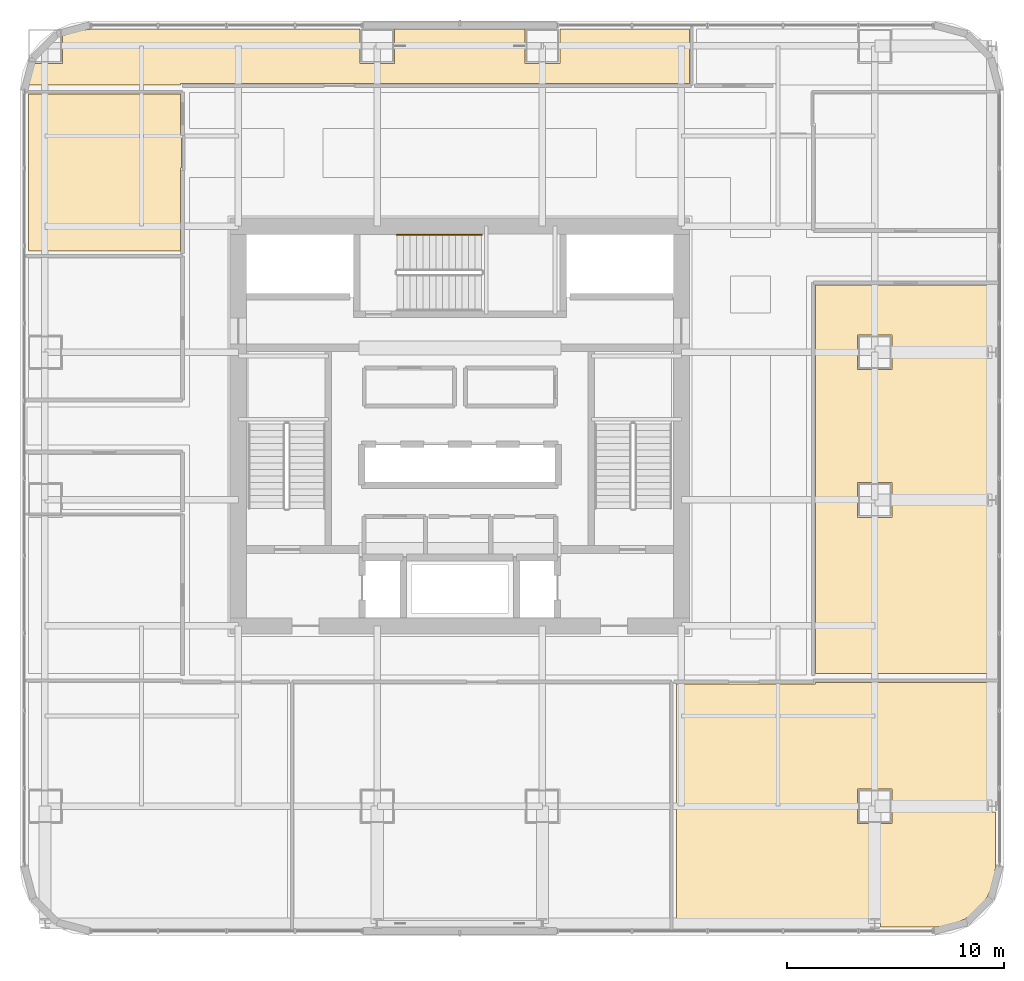
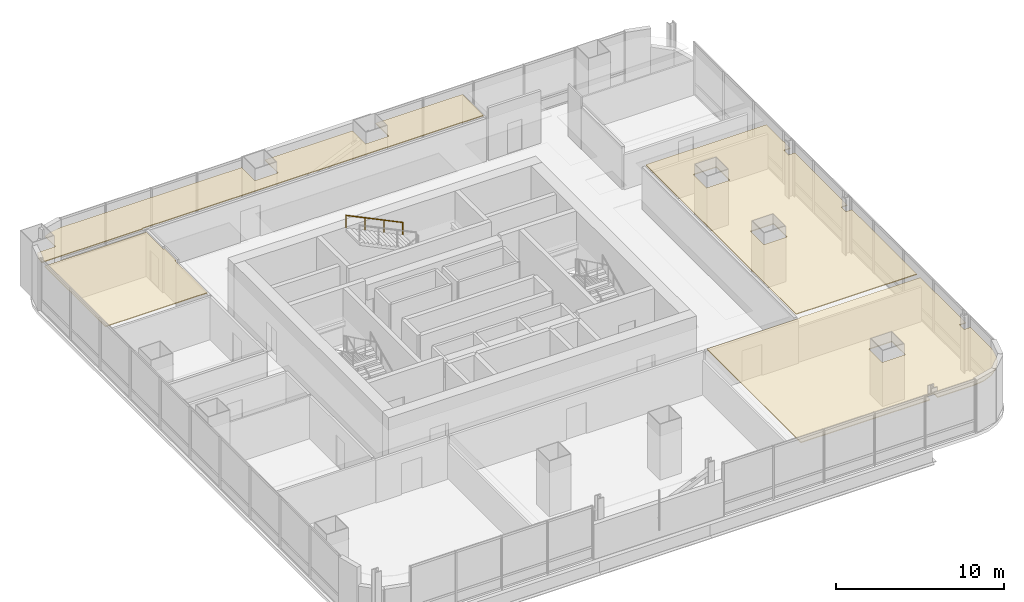
# One storey, part 38 of 40: 4 coverings, 1 railing.
"""IFC4 building model written with IfcOpenShell, lengths in metres."""

from ifc_helpers import new_model, si_unit, direction, frame, origin, origin_2d, place, context, subcontext, project, spatial, polyline, circle, outline, extrude, material, layer, layer_set, type_object, element, save


model = new_model("IFC4")

# Units and contexts
model_context = context("Model", 3, precision=1e-05, world=origin(), true_north=direction((0.0, 1.0)))
body_context = subcontext(model_context, "Body", "Model", "MODEL_VIEW")
ifc_project = project(units=[si_unit("LENGTHUNIT", "METRE"), si_unit("AREAUNIT", "SQUARE_METRE"), si_unit("VOLUMEUNIT", "CUBIC_METRE"), si_unit("PLANEANGLEUNIT", "RADIAN"), si_unit("MASSUNIT", "GRAM", prefix="KILO")], contexts=[model_context])

# Site, building, storey
site_placement = place(None, origin())
site = spatial("IfcSite", under=ifc_project, at=site_placement, CompositionType="ELEMENT")
building_placement = place(site_placement, origin())
building = spatial("IfcBuilding", under=site, at=building_placement, Name="Punatoya Terracotta Tower", CompositionType="ELEMENT")
storey_placement = place(building_placement, frame((0.0, 0.0, 76.800048828125)))
storey = spatial("IfcBuildingStorey", under=building, at=storey_placement, Name="L17", CompositionType="ELEMENT", Elevation=76.800048828125)

# Coverings
ifc_material_1 = material(Name="Acoustic Mineral Fibre Ceiling")
ifc_layer = layer(ifc_material_1, 0.06005859375)
ifc_layer_set = layer_set([ifc_layer], Name="Acoustic Mineral Fibre Ceiling")
covering_type = type_object("IfcCoveringType", Name="COV-CEIL-60", PredefinedType="CEILING", material=ifc_layer_set)
covering_1_placement = place(storey_placement, frame((0.0, 0.0, 3.199951171875)))
element("IfcCovering", 1, at=covering_1_placement, inside=storey, type_object=covering_type, Name="L17 Collaborative Workshop Room Acoustic Ceiling", PredefinedType="CEILING", context=body_context, shape_type="SweptSolid", body=[
    extrude(outline(polyline([(16.3701171875, -11.8701171875), (9.968017578125, -11.8701171875), (9.968017578125, -23.070068359375), (18.842041015625, -23.070068359375), (18.842041015625, -22.626953125), (19.35791015625, -22.626953125), (19.35791015625, -23.070068359375), (21.8251953125, -23.070068359375), (22.5791015625, -22.970703125), (23.25830078125, -22.689453125), (23.841796875, -22.24169921875), (24.289306640625, -21.658203125), (24.57080078125, -20.97900390625), (24.669921875, -20.22509765625), (24.669921875, -17.77294921875), (24.241943359375, -17.77294921875), (24.241943359375, -17.22705078125), (24.669921875, -17.22705078125), (24.669921875, -11.81005859375), (16.3701171875, -11.81005859375), (16.3701171875, -11.8701171875)]), holes=[polyline([(19.89990234375, -18.300048828125), (18.300048828125, -18.300048828125), (18.300048828125, -16.699951171875), (19.89990234375, -16.699951171875), (19.89990234375, -18.300048828125)])]), origin(), (0.0, 0.0, 1.0), 0.06005859375),
])
covering_2_placement = place(storey_placement, frame((0.0, 0.0, 3.199951171875)))
element("IfcCovering", 2, at=covering_2_placement, inside=storey, type_object=covering_type, Name="L17 Delegate Reception Lounge Acoustic Ceiling", PredefinedType="CEILING", context=body_context, shape_type="SweptSolid", body=[
    extrude(outline(polyline([(24.241943359375, -3.673095703125), (24.241943359375, -3.126953125), (24.669921875, -3.126953125), (24.669921875, 3.126953125), (24.241943359375, 3.126953125), (24.241943359375, 3.673095703125), (24.669921875, 3.673095703125), (24.669921875, 6.5), (16.3701171875, 6.5), (16.3701171875, -11.389892578125), (24.669921875, -11.389892578125), (24.669921875, -3.673095703125), (24.241943359375, -3.673095703125)]), holes=[polyline([(18.300048828125, -4.199951171875), (18.300048828125, -2.60009765625), (19.89990234375, -2.60009765625), (19.89990234375, -4.199951171875), (18.300048828125, -4.199951171875)]), polyline([(18.300048828125, 4.199951171875), (19.89990234375, 4.199951171875), (19.89990234375, 2.60009765625), (18.300048828125, 2.60009765625), (18.300048828125, 4.199951171875)])]), origin(), (0.0, 0.0, 1.0), 0.06005859375),
])
covering_3_placement = place(storey_placement, frame((0.0, 0.0, 3.199951171875)))
element("IfcCovering", 3, at=covering_3_placement, inside=storey, type_object=covering_type, Name="L17 Case-Study Classroom Acoustic Ceiling", PredefinedType="CEILING", context=body_context, shape_type="SweptSolid", body=[
    extrude(outline(polyline([(-12.8701171875, 11.8701171875), (-12.81005859375, 11.8701171875), (-12.81005859375, 13.280029296875), (-12.8701171875, 13.280029296875), (-12.8701171875, 15.2900390625), (-19.8701171875, 15.2900390625), (-19.8701171875, 8.050048828125), (-12.8701171875, 8.050048828125), (-12.8701171875, 11.8701171875)])), origin(), (0.0, 0.0, 1.0), 0.06005859375),
])
covering_4_placement = place(storey_placement, frame((0.0, 0.0, 3.199951171875)))
element("IfcCovering", 4, at=covering_4_placement, inside=storey, type_object=covering_type, Name="L17 Open-Plan Roundtable Conference Room Acoustic Ceiling", PredefinedType="CEILING", context=body_context, shape_type="SweptSolid", body=[
    extrude(outline(polyline([(-12.8701171875, 15.7099609375), (-12.8701171875, 15.77001953125), (10.573974609375, 15.77001953125), (10.573974609375, 18.27001953125), (4.60009765625, 18.27001953125), (4.60009765625, 16.699951171875), (3.0, 16.699951171875), (3.0, 18.27001953125), (-3.0, 18.27001953125), (-3.0, 16.699951171875), (-4.60009765625, 16.699951171875), (-4.60009765625, 18.27001953125), (-17.025146484375, 18.27001953125), (-17.779052734375, 18.1708984375), (-18.300048828125, 17.955078125), (-18.300048828125, 16.699951171875), (-19.554931640625, 16.699951171875), (-19.770751953125, 16.178955078125), (-19.83251953125, 15.7099609375), (-12.8701171875, 15.7099609375)])), origin(), (0.0, 0.0, 1.0), 0.06005859375),
])

# Railing
ifc_material_2 = material(Name="Steel S355", Category="steel")
railing_type = type_object("IfcRailingType", Name="RLG-HND-900", PredefinedType="HANDRAIL", material=ifc_material_2)
railing_placement = place(storey_placement, frame((1.0, 8.800048828125, 2.169677734375)))
element("IfcRailing", 5, at=railing_placement, inside=storey, type_object=railing_type, Name="L17 ST-3 stair handrail 2", PredefinedType="HANDRAIL", context=body_context, shape_type="SweptSolid", body=[
    extrude(circle(Radius=0.02392578125, at=origin_2d()), frame((0.0, 0.0, 0.8759765625), z_axis=(-0.900763166376, 0.0, 0.434310623978), x_axis=(0.0, -1.0, 0.0)), (0.0, 0.0, 1.0), 4.32958984375),
    extrude(circle(Radius=0.02099609375, at=origin_2d()), origin(), (0.0, 0.0, 1.0), 0.851806640625),
    extrude(circle(Radius=0.02099609375, at=origin_2d()), frame((-1.300048828125, 0.0, 0.626708984375)), (0.0, 0.0, 1.0), 0.851806640625),
    extrude(circle(Radius=0.02099609375, at=origin_2d()), frame((-2.599853515625, 0.0, 1.253662109375)), (0.0, 0.0, 1.0), 0.851806640625),
    extrude(circle(Radius=0.02099609375, at=origin_2d()), frame((-3.89990234375, 0.0, 1.88037109375)), (0.0, 0.0, 1.0), 0.851806640625),
])

save(model, "model.ifc")
